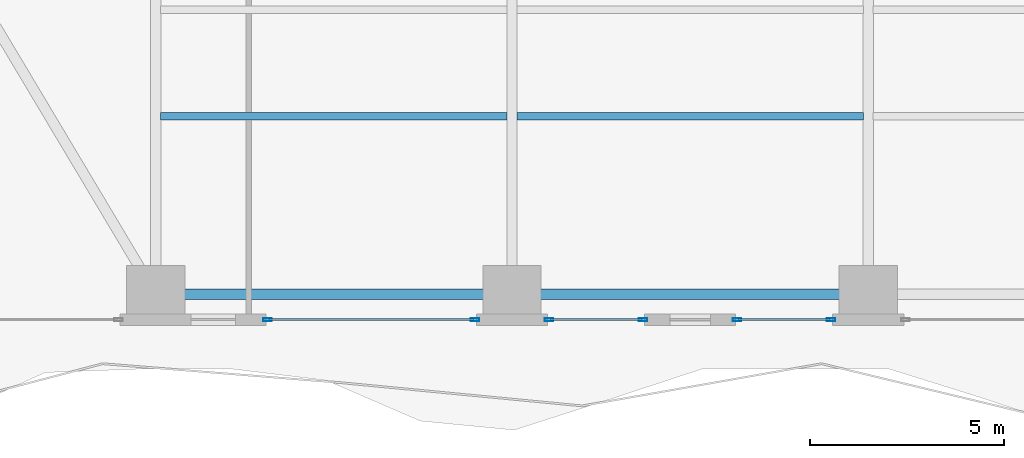
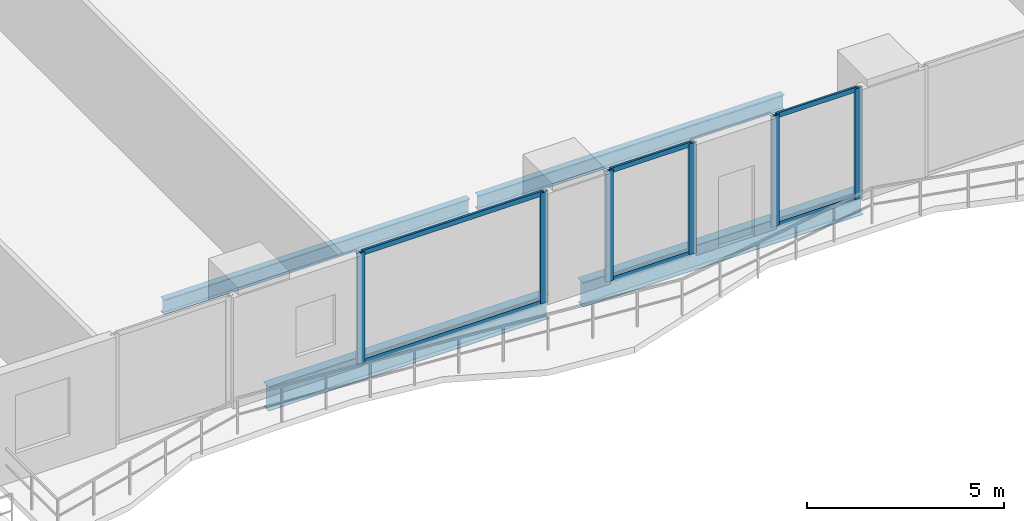
# One storey, part 4 of 28: 12 members, 4 beams, 3 elements without a shape of their own.
"""IFC4 building model written with IfcOpenShell, lengths in metres."""

import ifcopenshell
import ifcopenshell.guid

model = None  # the IFC model being written
_history = None  # IfcOwnerHistory: only IFC2X3 demands one
_inside = {}  # id of a spatial element -> (the spatial element, [elements in it])
_under = {}  # id of a project, library or spatial element -> (it, [spatial elements below it])
_declared = {}  # id of a project -> (the project, [libraries it declares])
_typed = {}  # id of a type object -> (the type object, [elements of that type])
_made_of = {}  # id of a material, layer set ... -> (it, [elements and type objects made of it])


def new_model(schema):
    """Start an empty IFC model of exactly this schema.

    Asked for "IFC4X3", IfcOpenShell would pick the latest addendum, in which some entities
    have other attributes; the version numbers below select the first issue.
    IFC2X3 requires an IfcOwnerHistory on every rooted entity: one is made here for all.
    """
    global model, _history
    if schema == "IFC4X3":
        model = ifcopenshell.file(schema_version=(4, 3, 0, 0))
    else:
        model = ifcopenshell.file(schema=schema)
    _inside.clear()
    _under.clear()
    _declared.clear()
    _typed.clear()
    _made_of.clear()
    _history = None
    if model.schema == "IFC2X3":
        org = make("IfcOrganization", Name="unknown")
        user = make(
            "IfcPersonAndOrganization",
            ThePerson=make("IfcPerson", FamilyName="unknown"),
            TheOrganization=org,
        )
        app = make(
            "IfcApplication",
            ApplicationDeveloper=org,
            Version="unknown",
            ApplicationFullName="unknown",
            ApplicationIdentifier="unknown",
        )
        _history = make(
            "IfcOwnerHistory",
            OwningUser=user,
            OwningApplication=app,
            ChangeAction="ADDED",
            CreationDate=0,
        )
    return model


def make(cls, **values):
    """One entity of the class cls with the attributes given. An attribute that is None is left unset."""
    return model.create_entity(
        cls, **{name: value for name, value in values.items() if value is not None}
    )


def rooted(cls, **values):
    """An entity with a GlobalId (a new one), such as an element, a storey or a relation."""
    return make(cls, GlobalId=ifcopenshell.guid.new(), OwnerHistory=_history, **values)


def si_unit(unit_type, name, prefix=None):
    """IfcSIUnit, for example si_unit("LENGTHUNIT", "METRE", prefix="MILLI")."""
    return make("IfcSIUnit", UnitType=unit_type, Prefix=prefix, Name=name)


def assignment(units):
    """IfcUnitAssignment: the units of a project."""
    return None if units is None else make("IfcUnitAssignment", Units=units)


def point(xyz):
    """IfcCartesianPoint."""
    return None if xyz is None else make("IfcCartesianPoint", Coordinates=xyz)


def direction(xyz):
    """IfcDirection."""
    return None if xyz is None else make("IfcDirection", DirectionRatios=xyz)


def frame(location, z_axis=None, x_axis=None):
    """IfcAxis2Placement3D, a coordinate frame: its origin and axes. An axis left out is left unset."""
    return make(
        "IfcAxis2Placement3D",
        Location=point(location),
        Axis=direction(z_axis),
        RefDirection=direction(x_axis),
    )


def frame_2d(location, x_axis=None):
    """IfcAxis2Placement2D, a coordinate frame in the plane: its origin and x axis."""
    return make(
        "IfcAxis2Placement2D", Location=point(location), RefDirection=direction(x_axis)
    )


def origin():
    """The frame at (0, 0, 0) with its axes left unset."""
    return frame((0.0, 0.0, 0.0))


def origin_2d():
    """The frame at (0, 0) in the plane with its x axis left unset."""
    return frame_2d((0.0, 0.0))


def place(relative_to, where):
    """IfcLocalPlacement: puts the frame where relative to a parent placement (None: the world)."""
    return make(
        "IfcLocalPlacement", PlacementRelTo=relative_to, RelativePlacement=where
    )


def context(
    kind, dimensions, precision=None, world=None, true_north=None, identifier=None
):
    """IfcGeometricRepresentationContext, for example the 3D "Model" context."""
    return make(
        "IfcGeometricRepresentationContext",
        ContextIdentifier=identifier,
        ContextType=kind,
        CoordinateSpaceDimension=dimensions,
        Precision=precision,
        WorldCoordinateSystem=world,
        TrueNorth=true_north,
    )


def subcontext(parent, identifier, kind, view, scale=None):
    """IfcGeometricRepresentationSubContext, for example "Body" below "Model"."""
    return make(
        "IfcGeometricRepresentationSubContext",
        ContextIdentifier=identifier,
        ContextType=kind,
        ParentContext=parent,
        TargetScale=scale,
        TargetView=view,
    )


def project(units=None, contexts=None):
    """IfcProject with its units and contexts."""
    return rooted(
        "IfcProject",
        Name="project",
        RepresentationContexts=contexts,
        UnitsInContext=assignment(units),
    )


def spatial(cls, under=None, at=None, **own):
    """A site, building, storey or space (cls), placed at a placement, below another one or the project."""
    s = rooted(cls, ObjectPlacement=at, **own)
    if under is not None:
        _under.setdefault(under.id(), (under, []))[1].append(s)
    return s


def profile(cls, at=None, kind="AREA", **sizes):
    """A parametric profile (cls). Its sizes go by their IFC names, for example OverallWidth=200.0."""
    return make(cls, ProfileType=kind, Position=at, **sizes)


def hollow_rectangle(**sizes):
    """IfcRectangleHollowProfileDef."""
    return profile("IfcRectangleHollowProfileDef", **sizes)


def i_section(**sizes):
    """IfcIShapeProfileDef."""
    return profile("IfcIShapeProfileDef", **sizes)


def extrude(swept, where, along, depth):
    """IfcExtrudedAreaSolid: the profile swept, set in the frame where, extruded along a direction by depth."""
    return make(
        "IfcExtrudedAreaSolid",
        SweptArea=swept,
        Position=where,
        ExtrudedDirection=direction(along),
        Depth=depth,
    )


def shape(context_of_items, identifier, shape_type, items):
    """IfcShapeRepresentation: the items that make up one representation, for example the "Body"."""
    return make(
        "IfcShapeRepresentation",
        ContextOfItems=context_of_items,
        RepresentationIdentifier=identifier,
        RepresentationType=shape_type,
        Items=items,
    )


def material(Name=None, Category=None):
    """IfcMaterial."""
    return make("IfcMaterial", Name=Name, Category=Category)


def layer(
    of_material, thickness, ventilated=None, Name=None, Category=None, Priority=None
):
    """IfcMaterialLayer: one layer of a wall or slab, of a material (None: an air gap)."""
    return make(
        "IfcMaterialLayer",
        Material=of_material,
        LayerThickness=thickness,
        IsVentilated=ventilated,
        Name=Name,
        Category=Category,
        Priority=Priority,
    )


def layer_set(layers, Name=None):
    """IfcMaterialLayerSet."""
    return make("IfcMaterialLayerSet", MaterialLayers=layers, LayerSetName=Name)


def material_profile(
    of_material, cross_section, Name=None, Category=None, Priority=None
):
    """IfcMaterialProfile: a cross section and its material."""
    return make(
        "IfcMaterialProfile",
        Name=Name,
        Material=of_material,
        Profile=cross_section,
        Priority=Priority,
        Category=Category,
    )


def profile_set(profiles, Name=None, composite=None):
    """IfcMaterialProfileSet."""
    return make(
        "IfcMaterialProfileSet",
        Name=Name,
        MaterialProfiles=profiles,
        CompositeProfile=composite,
    )


def made_of(thing, what):
    """Note that an element or type object is made of a material, layer set ...; save() writes the relation."""
    if what is not None:
        _made_of.setdefault(what.id(), (what, []))[1].append(thing)
    return thing


def type_object(cls, material=None, **own):
    """A type object (cls), such as IfcWallType, which elements share."""
    return made_of(rooted(cls, **own), material)


def element(
    cls,
    number,
    at=None,
    inside=None,
    cuts=None,
    type_object=None,
    material=None,
    context=None,
    identifier="Body",
    shape_type=None,
    held_by="IfcProductDefinitionShape",
    body=None,
    shapes=None,
    **own,
):
    """One element of the class cls, such as IfcWall. Its Tag is "e" and its number.

    at: its placement. inside: the storey or other place that contains it. cuts: it is an
    opening in that element (IfcRelVoidsElement). A single representation is given by context,
    identifier, shape_type and body (its items); several are given by shapes. held_by: the class
    of the entity that holds the representations. save() writes the other relations.
    """
    e = rooted(cls, Tag="e%d" % number, ObjectPlacement=at, **own)
    if body is not None:
        shapes = [shape(context, identifier, shape_type, body)]
    if shapes is not None:
        e.Representation = make(held_by, Representations=shapes)
    if inside is not None:
        _inside.setdefault(inside.id(), (inside, []))[1].append(e)
    if cuts is not None:
        rooted(
            "IfcRelVoidsElement", RelatingBuildingElement=cuts, RelatedOpeningElement=e
        )
    if type_object is not None:
        _typed.setdefault(type_object.id(), (type_object, []))[1].append(e)
    return made_of(e, material)


def aggregate(whole, parts):
    """IfcRelAggregates: a whole, such as a stair, and the parts it consists of."""
    return rooted("IfcRelAggregates", RelatingObject=whole, RelatedObjects=parts)


def save(model, path):
    """Write the relations noted so far, then the file.

    IfcRelAggregates (storeys below a building ...), IfcRelContainedInSpatialStructure (elements
    in a storey), IfcRelDefinesByType, IfcRelAssociatesMaterial and IfcRelDeclares: one each for
    every whole, place, type object, material and project.
    """
    for whole, parts in _under.values():
        aggregate(whole, parts)
    for where, things in _inside.values():
        rooted(
            "IfcRelContainedInSpatialStructure",
            RelatedElements=things,
            RelatingStructure=where,
        )
    for kind, things in _typed.values():
        rooted("IfcRelDefinesByType", RelatedObjects=things, RelatingType=kind)
    for what, things in _made_of.values():
        rooted("IfcRelAssociatesMaterial", RelatedObjects=things, RelatingMaterial=what)
    for by, libraries in _declared.values():
        rooted("IfcRelDeclares", RelatingContext=by, RelatedDefinitions=libraries)
    model.write(path)


model = new_model("IFC4")

# Units and contexts
model_context = context("Model", 3, precision=1e-05, world=origin(), true_north=direction((0.0, 1.0)))
body_context = subcontext(model_context, "Body", "Model", "MODEL_VIEW")
ifc_project = project(units=[si_unit("LENGTHUNIT", "METRE"), si_unit("AREAUNIT", "SQUARE_METRE"), si_unit("VOLUMEUNIT", "CUBIC_METRE"), si_unit("PLANEANGLEUNIT", "RADIAN"), si_unit("MASSUNIT", "GRAM", prefix="KILO")], contexts=[model_context])

# Site, building, storey
site_placement = place(None, origin())
site = spatial("IfcSite", under=ifc_project, at=site_placement, CompositionType="ELEMENT")
building_placement = place(site_placement, origin())
building = spatial("IfcBuilding", under=site, at=building_placement, Name="Zuhayl Quay Hotel", CompositionType="ELEMENT")
storey_placement = place(building_placement, frame((0.0, 0.0, 71.39990234375)))
storey = spatial("IfcBuildingStorey", under=building, at=storey_placement, Name="L17", CompositionType="ELEMENT", Elevation=71.39990234375)

# Beams
ifc_material_1 = material(Name="Steel ASTM A992 Grade 50", Category="steel")
ifc_material_profile_1 = material_profile(ifc_material_1, i_section(OverallWidth=0.26708984375, OverallDepth=0.761962890625, WebThickness=0.014404296875, FlangeThickness=0.021484375, at=origin_2d()), Name="W30X116")
ifc_profile_set_1 = profile_set([ifc_material_profile_1], Name="Steel ASTM A992 Grade 50")
beam_type_1 = type_object("IfcBeamType", Name="BM_B1_W30X116", PredefinedType="BEAM", material=ifc_profile_set_1)
beam_1_placement = place(storey_placement, frame((-13.300048828125, -22.449951171875, -0.600830078125), z_axis=(1.0, 0.0, 0.0), x_axis=(0.0, 1.0, 0.0)))
element("IfcBeam", 1, at=beam_1_placement, inside=storey, type_object=beam_type_1, Name="L17 Floor Beam RG_L17_01", PredefinedType="BEAM", context=body_context, shape_type="SweptSolid", body=[
    extrude(i_section(OverallWidth=0.26708984375, OverallDepth=0.761962890625, WebThickness=0.014404296875, FlangeThickness=0.021484375, at=origin_2d()), origin(), (0.0, 0.0, 1.0), 8.199951171875),
])
beam_2_placement = place(storey_placement, frame((-4.10009765625, -22.449951171875, -0.600830078125), z_axis=(1.0, 0.0, 0.0), x_axis=(0.0, 1.0, 0.0)))
element("IfcBeam", 2, at=beam_2_placement, inside=storey, type_object=beam_type_1, Name="L17 Floor Beam RG_L17_02", PredefinedType="BEAM", context=body_context, shape_type="SweptSolid", body=[
    extrude(i_section(OverallWidth=0.26708984375, OverallDepth=0.761962890625, WebThickness=0.014404296875, FlangeThickness=0.021484375, at=origin_2d()), origin(), (0.0, 0.0, 1.0), 8.2001953125),
])
ifc_material_profile_2 = material_profile(ifc_material_1, i_section(OverallWidth=0.18994140625, OverallDepth=0.45703125, WebThickness=0.009033203125, FlangeThickness=0.014404296875, at=origin_2d()), Name="W18X50")
ifc_profile_set_2 = profile_set([ifc_material_profile_2], Name="Steel ASTM A992 Grade 50")
beam_type_2 = type_object("IfcBeamType", Name="BM_J2_W18X50", PredefinedType="JOIST", material=ifc_profile_set_2)
beam_3_placement = place(storey_placement, frame((-13.674560546875, -17.85009765625, -0.448486328125), z_axis=(1.0, 0.0, 0.0), x_axis=(0.0, 1.0, 0.0)))
element("IfcBeam", 3, at=beam_3_placement, inside=storey, type_object=beam_type_2, Name="L17 Floor Beam FJ_L17_3_1", PredefinedType="JOIST", context=body_context, shape_type="SweptSolid", body=[
    extrude(i_section(OverallWidth=0.18994140625, OverallDepth=0.45703125, WebThickness=0.009033203125, FlangeThickness=0.014404296875, at=origin_2d()), origin(), (0.0, 0.0, 1.0), 8.948974609375),
])
beam_4_placement = place(storey_placement, frame((-4.474609375, -17.85009765625, -0.448486328125), z_axis=(1.0, 0.0, 0.0), x_axis=(0.0, 1.0, 0.0)))
element("IfcBeam", 4, at=beam_4_placement, inside=storey, type_object=beam_type_2, Name="L17 Floor Beam FJ_L17_3_2", PredefinedType="JOIST", context=body_context, shape_type="SweptSolid", body=[
    extrude(i_section(OverallWidth=0.18994140625, OverallDepth=0.45703125, WebThickness=0.009033203125, FlangeThickness=0.014404296875, at=origin_2d()), origin(), (0.0, 0.0, 1.0), 8.94921875),
])

# Curtain wall, members
ifc_material_2 = material(Name="Anodised Aluminium 6063-T6", Category="aluminium")
ifc_layer = layer(ifc_material_2, 0.18994140625, Name="Anodised Aluminium 6063-T6", Category="aluminium")
ifc_layer_set = layer_set([ifc_layer], Name="Anodised Aluminium 6063-T6")
curtain_wall_type = type_object("IfcCurtainWallType", Name="CW_SYS_Z1", PredefinedType="USERDEFINED", material=ifc_layer_set)
curtain_wall_1_placement = place(storey_placement, origin())
curtain_wall_1 = element("IfcCurtainWall", 5, at=curtain_wall_1_placement, inside=storey, type_object=curtain_wall_type, Name="L17 Curtain Wall ENV_L17_S_CW3", ObjectType="UNITISED CURTAIN WALL", PredefinedType="USERDEFINED")
ifc_material_3 = material(Name="Black-anodised aluminium 6063-T6", Category="aluminium")
ifc_material_profile_3 = material_profile(ifc_material_3, hollow_rectangle(XDim=0.074951171875, YDim=0.219970703125, WallThickness=0.00390625, at=origin_2d()), Name="ALU220X75")
ifc_profile_set_3 = profile_set([ifc_material_profile_3], Name="Black-anodised aluminium 6063-T6")
member_type_1 = type_object("IfcMemberType", Name="MB_CW_MUL_220", PredefinedType="MULLION", material=ifc_profile_set_3)
member_1_placement = place(storey_placement, frame((3.642578125, -23.10009765625, 0.0), z_axis=(0.0, 0.0, 1.0), x_axis=(0.0, -1.0, 0.0)))
member_1 = element("IfcMember", 6, at=member_1_placement, type_object=member_type_1, Name="CW-Z1 mullion 1", PredefinedType="MULLION", context=body_context, shape_type="SweptSolid", body=[
    extrude(hollow_rectangle(XDim=0.074951171875, YDim=0.219970703125, WallThickness=0.00390625, at=origin_2d()), origin(), (0.0, 0.0, 1.0), 3.43017578125),
])
member_2_placement = place(storey_placement, frame((1.21240234375, -23.10009765625, 0.0), z_axis=(0.0, 0.0, 1.0), x_axis=(0.0, -1.0, 0.0)))
member_2 = element("IfcMember", 7, at=member_2_placement, type_object=member_type_1, Name="CW-Z1 mullion 2", PredefinedType="MULLION", context=body_context, shape_type="SweptSolid", body=[
    extrude(hollow_rectangle(XDim=0.074951171875, YDim=0.219970703125, WallThickness=0.00390625, at=origin_2d()), origin(), (0.0, 0.0, 1.0), 3.43017578125),
])

curtain_wall_2_placement = place(storey_placement, origin())
curtain_wall_2 = element("IfcCurtainWall", 8, at=curtain_wall_2_placement, inside=storey, type_object=curtain_wall_type, Name="L17 Curtain Wall ENV_L17_S_CW4", ObjectType="UNITISED CURTAIN WALL", PredefinedType="USERDEFINED")
member_3_placement = place(storey_placement, frame((-1.21240234375, -23.10009765625, 0.0), z_axis=(0.0, 0.0, 1.0), x_axis=(0.0, -1.0, 0.0)))
member_3 = element("IfcMember", 9, at=member_3_placement, type_object=member_type_1, Name="CW-Z1 mullion 1", PredefinedType="MULLION", context=body_context, shape_type="SweptSolid", body=[
    extrude(hollow_rectangle(XDim=0.074951171875, YDim=0.219970703125, WallThickness=0.00390625, at=origin_2d()), origin(), (0.0, 0.0, 1.0), 3.43017578125),
])
member_4_placement = place(storey_placement, frame((-3.642578125, -23.10009765625, 0.0), z_axis=(0.0, 0.0, 1.0), x_axis=(0.0, -1.0, 0.0)))
member_4 = element("IfcMember", 10, at=member_4_placement, type_object=member_type_1, Name="CW-Z1 mullion 2", PredefinedType="MULLION", context=body_context, shape_type="SweptSolid", body=[
    extrude(hollow_rectangle(XDim=0.074951171875, YDim=0.219970703125, WallThickness=0.00390625, at=origin_2d()), origin(), (0.0, 0.0, 1.0), 3.43017578125),
])

curtain_wall_3_placement = place(storey_placement, origin())
curtain_wall_3 = element("IfcCurtainWall", 11, at=curtain_wall_3_placement, inside=storey, type_object=curtain_wall_type, Name="L17 Curtain Wall ENV_L17_S_CW5", ObjectType="UNITISED CURTAIN WALL", PredefinedType="USERDEFINED")
member_5_placement = place(storey_placement, frame((-5.5576171875, -23.10009765625, 0.0), z_axis=(0.0, 0.0, 1.0), x_axis=(0.0, -1.0, 0.0)))
member_5 = element("IfcMember", 12, at=member_5_placement, type_object=member_type_1, Name="CW-Z1 mullion 1", PredefinedType="MULLION", context=body_context, shape_type="SweptSolid", body=[
    extrude(hollow_rectangle(XDim=0.074951171875, YDim=0.219970703125, WallThickness=0.00390625, at=origin_2d()), origin(), (0.0, 0.0, 1.0), 3.43017578125),
])
member_6_placement = place(storey_placement, frame((-10.91259765625, -23.10009765625, 0.0), z_axis=(0.0, 0.0, 1.0), x_axis=(0.0, -1.0, 0.0)))
member_6 = element("IfcMember", 13, at=member_6_placement, type_object=member_type_1, Name="CW-Z1 mullion 2", PredefinedType="MULLION", context=body_context, shape_type="SweptSolid", body=[
    extrude(hollow_rectangle(XDim=0.074951171875, YDim=0.219970703125, WallThickness=0.00390625, at=origin_2d()), origin(), (0.0, 0.0, 1.0), 3.43017578125),
])

# Member
ifc_material_profile_4 = material_profile(ifc_material_3, hollow_rectangle(XDim=0.06005859375, YDim=0.14990234375, WallThickness=0.00341796875, at=origin_2d()), Name="ALU150X60")
ifc_profile_set_4 = profile_set([ifc_material_profile_4], Name="Black-anodised aluminium 6063-T6")
member_type_2 = type_object("IfcMemberType", Name="MB_CW_TRN_150", PredefinedType="USERDEFINED", material=ifc_profile_set_4)
member_7_placement = place(storey_placement, frame((3.60498046875, -23.10009765625, 0.030029296875), z_axis=(-1.0, 0.0, 0.0), x_axis=(0.0, -1.0, 0.0)))
member_7 = element("IfcMember", 14, at=member_7_placement, type_object=member_type_2, Name="CW-Z1 transom 1.1", ObjectType="TRANSOM", PredefinedType="USERDEFINED", context=body_context, shape_type="SweptSolid", body=[
    extrude(hollow_rectangle(XDim=0.06005859375, YDim=0.14990234375, WallThickness=0.00341796875, at=origin_2d()), origin(), (0.0, 0.0, 1.0), 2.35498046875),
])

member_8_placement = place(storey_placement, frame((3.60498046875, -23.10009765625, 3.400146484375), z_axis=(-1.0, 0.0, 0.0), x_axis=(0.0, -1.0, 0.0)))
member_8 = element("IfcMember", 15, at=member_8_placement, type_object=member_type_2, Name="CW-Z1 transom 1.2", ObjectType="TRANSOM", PredefinedType="USERDEFINED", context=body_context, shape_type="SweptSolid", body=[
    extrude(hollow_rectangle(XDim=0.06005859375, YDim=0.14990234375, WallThickness=0.00341796875, at=origin_2d()), origin(), (0.0, 0.0, 1.0), 2.35498046875),
])

aggregate(curtain_wall_1, [member_1, member_2, member_7, member_8])

member_9_placement = place(storey_placement, frame((-1.25, -23.10009765625, 0.030029296875), z_axis=(-1.0, 0.0, 0.0), x_axis=(0.0, -1.0, 0.0)))
member_9 = element("IfcMember", 16, at=member_9_placement, type_object=member_type_2, Name="CW-Z1 transom 1.1", ObjectType="TRANSOM", PredefinedType="USERDEFINED", context=body_context, shape_type="SweptSolid", body=[
    extrude(hollow_rectangle(XDim=0.06005859375, YDim=0.14990234375, WallThickness=0.00341796875, at=origin_2d()), origin(), (0.0, 0.0, 1.0), 2.35498046875),
])

member_10_placement = place(storey_placement, frame((-1.25, -23.10009765625, 3.400146484375), z_axis=(-1.0, 0.0, 0.0), x_axis=(0.0, -1.0, 0.0)))
member_10 = element("IfcMember", 17, at=member_10_placement, type_object=member_type_2, Name="CW-Z1 transom 1.2", ObjectType="TRANSOM", PredefinedType="USERDEFINED", context=body_context, shape_type="SweptSolid", body=[
    extrude(hollow_rectangle(XDim=0.06005859375, YDim=0.14990234375, WallThickness=0.00341796875, at=origin_2d()), origin(), (0.0, 0.0, 1.0), 2.35498046875),
])

aggregate(curtain_wall_2, [member_3, member_4, member_9, member_10])

member_11_placement = place(storey_placement, frame((-5.594970703125, -23.10009765625, 0.030029296875), z_axis=(-1.0, 0.0, 0.0), x_axis=(0.0, -1.0, 0.0)))
member_11 = element("IfcMember", 18, at=member_11_placement, type_object=member_type_2, Name="CW-Z1 transom 1.1", ObjectType="TRANSOM", PredefinedType="USERDEFINED", context=body_context, shape_type="SweptSolid", body=[
    extrude(hollow_rectangle(XDim=0.06005859375, YDim=0.14990234375, WallThickness=0.00341796875, at=origin_2d()), origin(), (0.0, 0.0, 1.0), 5.280029296875),
])

member_12_placement = place(storey_placement, frame((-5.594970703125, -23.10009765625, 3.400146484375), z_axis=(-1.0, 0.0, 0.0), x_axis=(0.0, -1.0, 0.0)))
member_12 = element("IfcMember", 19, at=member_12_placement, type_object=member_type_2, Name="CW-Z1 transom 1.2", ObjectType="TRANSOM", PredefinedType="USERDEFINED", context=body_context, shape_type="SweptSolid", body=[
    extrude(hollow_rectangle(XDim=0.06005859375, YDim=0.14990234375, WallThickness=0.00341796875, at=origin_2d()), origin(), (0.0, 0.0, 1.0), 5.280029296875),
])

aggregate(curtain_wall_3, [member_5, member_6, member_11, member_12])

save(model, "model.ifc")
